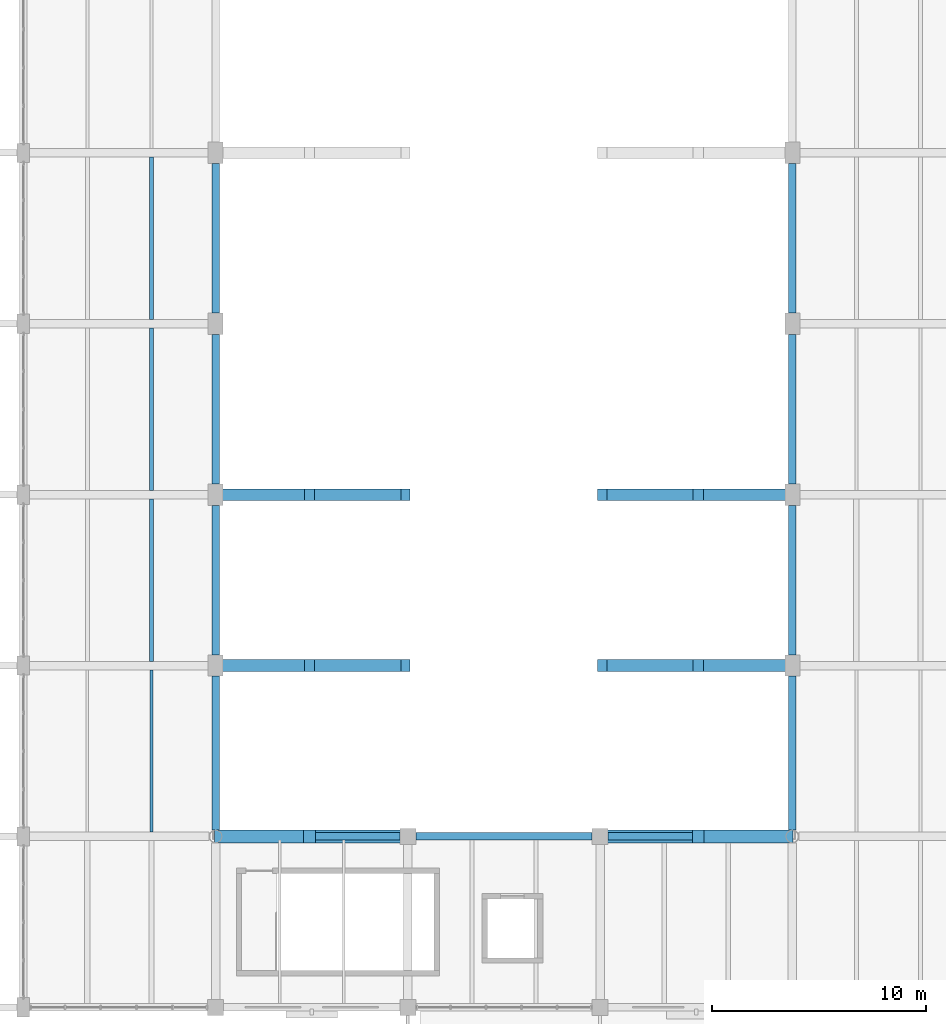
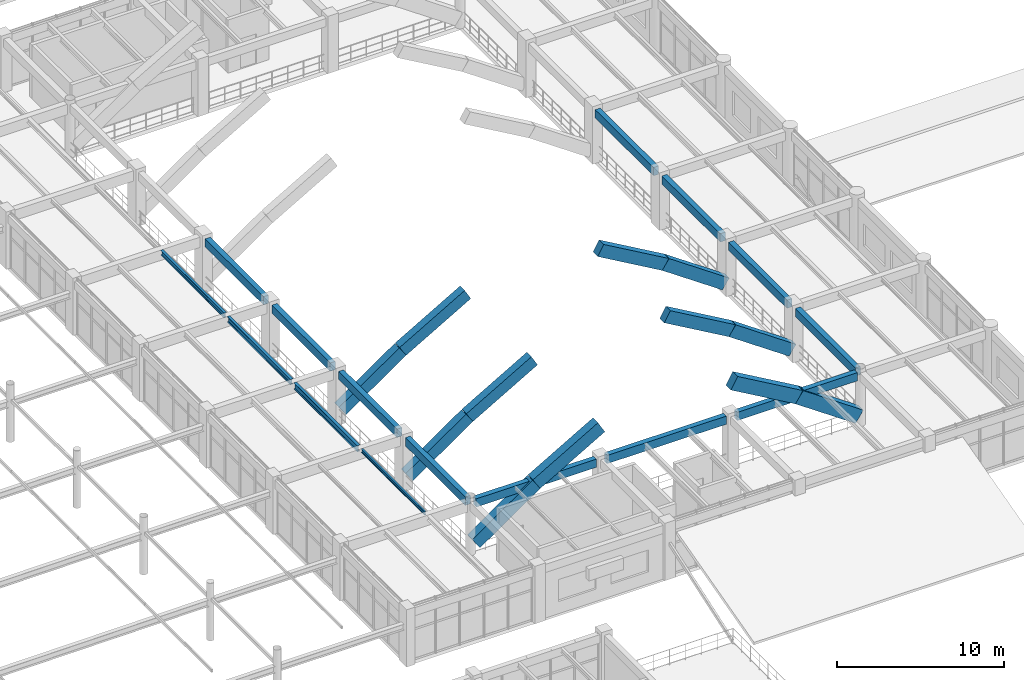
# One storey, part 39 of 148: 27 beams.
"""IFC4 building model written with IfcOpenShell, lengths in metres."""

from ifc_helpers import new_model, si_unit, derived_unit, direction, frame, origin, origin_2d, place, context, subcontext, project, spatial, rectangle, i_section, extrude, material, material_profile, profile_set, type_object, element, save


model = new_model("IFC4")

# Units and contexts
model_context = context("Model", 3, precision=1e-05, world=origin(), true_north=direction((0.0, 1.0)))
body_context = subcontext(model_context, "Body", "Model", "MODEL_VIEW")
ifc_project = project(units=[si_unit("LENGTHUNIT", "METRE"), si_unit("AREAUNIT", "SQUARE_METRE"), si_unit("VOLUMEUNIT", "CUBIC_METRE"), si_unit("PLANEANGLEUNIT", "RADIAN"), si_unit("MASSUNIT", "GRAM", prefix="KILO"), derived_unit("THERMALTRANSMITTANCEUNIT", [(si_unit("MASSUNIT", "GRAM", prefix="KILO"), 1), (si_unit("TIMEUNIT", "SECOND"), -3), (si_unit("THERMODYNAMICTEMPERATUREUNIT", "KELVIN"), -1)])], contexts=[model_context])

# Site, building, storey
site_placement = place(None, origin())
site = spatial("IfcSite", under=ifc_project, at=site_placement, CompositionType="ELEMENT")
building_placement = place(site_placement, origin())
building = spatial("IfcBuilding", under=site, at=building_placement, Name="Zhenchuan Archway Interchange", CompositionType="ELEMENT")
storey_placement = place(building_placement, frame((0.0, 0.0, 10.199951171875)))
storey = spatial("IfcBuildingStorey", under=building, at=storey_placement, Name="L02", CompositionType="ELEMENT", Elevation=10.199951171875)

# Beams
ifc_material_1 = material(Name="Concrete C50", Category="concrete")
ifc_material_profile_1 = material_profile(ifc_material_1, rectangle(XDim=0.550048828125, YDim=0.85009765625, at=origin_2d()), Name="RC 550x850")
ifc_profile_set_1 = profile_set([ifc_material_profile_1], Name="Concrete C50")
beam_type_1 = type_object("IfcBeamType", Name="BM_RC_ARCH_550x850", PredefinedType="BEAM", material=ifc_profile_set_1)
beam_1_placement = place(storey_placement, frame((36.22998046875, 40.0, 0.759521484375), z_axis=(0.821864541995, 0.0, 0.569682959735), x_axis=(0.0, 1.0, 0.0)))
element("IfcBeam", 1, at=beam_1_placement, inside=storey, type_object=beam_type_1, Name="Parabolic RC concourse arch A2 segment 1", PredefinedType="BEAM", context=body_context, shape_type="SweptSolid", body=[
    extrude(rectangle(XDim=0.550048828125, YDim=0.85009765625, at=origin_2d()), origin(), (0.0, 0.0, 1.0), 5.072021484375),
])
for number, where, z_axis, x_axis, name in (
    (2, (40.401611328125, 40.0, 3.651123046875), (0.865875481591, 0.0, 0.500259582996), (0.0, 1.0, 0.0), "Parabolic RC concourse arch A2 segment 2"),
    (3, (54.101806640625, 40.0, 6.2490234375), (0.865875481591, 0.0, -0.500259582996), (0.0, 1.0, 0.0), "Parabolic RC concourse arch A2 segment 5"),
):
    element("IfcBeam", number, at=place(storey_placement, frame(where, z_axis=z_axis, x_axis=x_axis)), inside=storey, type_object=beam_type_1, Name=name, PredefinedType="BEAM", context=body_context, shape_type="SweptSolid", body=[
        extrude(rectangle(XDim=0.550048828125, YDim=0.85009765625, at=origin_2d()), origin(), (0.0, 0.0, 1.0), 5.193115234375),
    ])
for number, where, z_axis, x_axis, name in (
    (4, (58.6015625, 40.0, 3.64892578125), (0.821864541995, 0.0, -0.569682959735), (0.0, 1.0, 0.0), "Parabolic RC concourse arch A2 segment 6"),
    (5, (36.22998046875, 48.0, 0.759521484375), (0.821864541995, 0.0, 0.569682959735), (0.0, 1.0, 0.0), "Parabolic RC concourse arch A3 segment 1"),
):
    element("IfcBeam", number, at=place(storey_placement, frame(where, z_axis=z_axis, x_axis=x_axis)), inside=storey, type_object=beam_type_1, Name=name, PredefinedType="BEAM", context=body_context, shape_type="SweptSolid", body=[
        extrude(rectangle(XDim=0.550048828125, YDim=0.85009765625, at=origin_2d()), origin(), (0.0, 0.0, 1.0), 5.072021484375),
    ])
for number, where, z_axis, x_axis, name in (
    (6, (40.401611328125, 48.0, 3.651123046875), (0.865875481591, 0.0, 0.500259582996), (0.0, 1.0, 0.0), "Parabolic RC concourse arch A3 segment 2"),
    (7, (54.101806640625, 48.0, 6.2490234375), (0.865875481591, 0.0, -0.500259582996), (0.0, 1.0, 0.0), "Parabolic RC concourse arch A3 segment 5"),
):
    element("IfcBeam", number, at=place(storey_placement, frame(where, z_axis=z_axis, x_axis=x_axis)), inside=storey, type_object=beam_type_1, Name=name, PredefinedType="BEAM", context=body_context, shape_type="SweptSolid", body=[
        extrude(rectangle(XDim=0.550048828125, YDim=0.85009765625, at=origin_2d()), origin(), (0.0, 0.0, 1.0), 5.193115234375),
    ])
beam_2_placement = place(storey_placement, frame((58.6015625, 48.0, 3.64892578125), z_axis=(0.821864541995, 0.0, -0.569682959735), x_axis=(0.0, 1.0, 0.0)))
element("IfcBeam", 8, at=beam_2_placement, inside=storey, type_object=beam_type_1, Name="Parabolic RC concourse arch A3 segment 6", PredefinedType="BEAM", context=body_context, shape_type="SweptSolid", body=[
    extrude(rectangle(XDim=0.550048828125, YDim=0.85009765625, at=origin_2d()), origin(), (0.0, 0.0, 1.0), 5.072021484375),
])
ifc_material_profile_2 = material_profile(ifc_material_1, rectangle(XDim=0.60009765625, YDim=0.949951171875, at=origin_2d()), Name="RC 600x950")
ifc_profile_set_2 = profile_set([ifc_material_profile_2], Name="Concrete C50")
beam_type_2 = type_object("IfcBeamType", Name="BM_RC_ARCH_600x950", PredefinedType="BEAM", material=ifc_profile_set_2)
beam_3_placement = place(storey_placement, frame((36.22998046875, 32.0, 0.759521484375), z_axis=(0.821864541995, 0.0, 0.569682959735), x_axis=(0.0, 1.0, 0.0)))
element("IfcBeam", 9, at=beam_3_placement, inside=storey, type_object=beam_type_2, Name="Parabolic RC concourse arch A1 segment 1", PredefinedType="BEAM", context=body_context, shape_type="SweptSolid", body=[
    extrude(rectangle(XDim=0.60009765625, YDim=0.949951171875, at=origin_2d()), origin(), (0.0, 0.0, 1.0), 5.072021484375),
])
for number, where, z_axis, x_axis, name in (
    (10, (40.401611328125, 32.0, 3.651123046875), (0.865875481591, 0.0, 0.500259582996), (0.0, 1.0, 0.0), "Parabolic RC concourse arch A1 segment 2"),
    (11, (54.101806640625, 32.0, 6.2490234375), (0.865875481591, 0.0, -0.500259582996), (0.0, 1.0, 0.0), "Parabolic RC concourse arch A1 segment 5"),
):
    element("IfcBeam", number, at=place(storey_placement, frame(where, z_axis=z_axis, x_axis=x_axis)), inside=storey, type_object=beam_type_2, Name=name, PredefinedType="BEAM", context=body_context, shape_type="SweptSolid", body=[
        extrude(rectangle(XDim=0.60009765625, YDim=0.949951171875, at=origin_2d()), origin(), (0.0, 0.0, 1.0), 5.193115234375),
    ])
beam_4_placement = place(storey_placement, frame((58.6015625, 32.0, 3.64892578125), z_axis=(0.821864541995, 0.0, -0.569682959735), x_axis=(0.0, 1.0, 0.0)))
element("IfcBeam", 12, at=beam_4_placement, inside=storey, type_object=beam_type_2, Name="Parabolic RC concourse arch A1 segment 6", PredefinedType="BEAM", context=body_context, shape_type="SweptSolid", body=[
    extrude(rectangle(XDim=0.60009765625, YDim=0.949951171875, at=origin_2d()), origin(), (0.0, 0.0, 1.0), 5.072021484375),
])
ifc_material_2 = material(Name="Steel Q355", Category="steel")
ifc_material_profile_3 = material_profile(ifc_material_2, i_section(OverallWidth=0.125, OverallDepth=0.25, WebThickness=0.006103515625, FlangeThickness=0.009033203125, FilletRadius=0.011962890625, at=origin_2d()), Name="HN 250x125")
ifc_profile_set_3 = profile_set([ifc_material_profile_3], Name="Steel Q355")
beam_type_3 = type_object("IfcBeamType", Name="JST_STL_HN250", PredefinedType="JOIST", material=ifc_profile_set_3)
beam_5_placement = place(storey_placement, frame((33.0, 32.199951171875, 3.81494140625), z_axis=(0.0, 1.0, 0.0), x_axis=(-1.0, 0.0, 0.0)))
element("IfcBeam", 13, at=beam_5_placement, inside=storey, type_object=beam_type_3, Name="Secondary joist 4-5/E-F #2 (L02)", PredefinedType="JOIST", context=body_context, shape_type="SweptSolid", body=[
    extrude(i_section(OverallWidth=0.125, OverallDepth=0.25, WebThickness=0.006103515625, FlangeThickness=0.009033203125, FilletRadius=0.011962890625, at=origin_2d()), origin(), (0.0, 0.0, 1.0), 7.60009765625),
])
ifc_material_profile_4 = material_profile(ifc_material_2, i_section(OverallWidth=0.175048828125, OverallDepth=0.35009765625, WebThickness=0.007080078125, FlangeThickness=0.010986328125, FilletRadius=0.013916015625, at=origin_2d()), Name="HN 350x175")
ifc_profile_set_4 = profile_set([ifc_material_profile_4], Name="Steel Q355")
beam_type_4 = type_object("IfcBeamType", Name="JST_STL_HN350", PredefinedType="JOIST", material=ifc_profile_set_4)
beam_6_placement = place(storey_placement, frame((33.0, 56.199951171875, 3.76513671875), z_axis=(0.0, 1.0, 0.0), x_axis=(-1.0, 0.0, 0.0)))
element("IfcBeam", 14, at=beam_6_placement, inside=storey, type_object=beam_type_4, Name="Secondary joist 4-5/H-J #2 (L02)", PredefinedType="JOIST", context=body_context, shape_type="SweptSolid", body=[
    extrude(i_section(OverallWidth=0.175048828125, OverallDepth=0.35009765625, WebThickness=0.007080078125, FlangeThickness=0.010986328125, FilletRadius=0.013916015625, at=origin_2d()), origin(), (0.0, 0.0, 1.0), 7.60009765625),
])
ifc_material_profile_5 = material_profile(ifc_material_2, i_section(OverallWidth=0.199951171875, OverallDepth=0.39990234375, WebThickness=0.008056640625, FlangeThickness=0.012939453125, FilletRadius=0.01611328125, at=origin_2d()), Name="HN 400x200")
ifc_profile_set_5 = profile_set([ifc_material_profile_5], Name="Steel Q355")
beam_type_5 = type_object("IfcBeamType", Name="JST_STL_HN400", PredefinedType="JOIST", material=ifc_profile_set_5)
beam_7_placement = place(storey_placement, frame((33.0, 48.199951171875, 3.739990234375), z_axis=(0.0, 1.0, 0.0), x_axis=(-1.0, 0.0, 0.0)))
element("IfcBeam", 15, at=beam_7_placement, inside=storey, type_object=beam_type_5, Name="Secondary joist 4-5/G-H #2 (L02)", PredefinedType="JOIST", context=body_context, shape_type="SweptSolid", body=[
    extrude(i_section(OverallWidth=0.199951171875, OverallDepth=0.39990234375, WebThickness=0.008056640625, FlangeThickness=0.012939453125, FilletRadius=0.01611328125, at=origin_2d()), origin(), (0.0, 0.0, 1.0), 7.60009765625),
])
ifc_material_profile_6 = material_profile(ifc_material_2, i_section(OverallWidth=0.199951171875, OverallDepth=0.449951171875, WebThickness=0.009033203125, FlangeThickness=0.013916015625, FilletRadius=0.01806640625, at=origin_2d()), Name="HN 450x200")
ifc_profile_set_6 = profile_set([ifc_material_profile_6], Name="Steel Q355")
beam_type_6 = type_object("IfcBeamType", Name="JST_STL_HN450", PredefinedType="JOIST", material=ifc_profile_set_6)
beam_8_placement = place(storey_placement, frame((33.0, 40.199951171875, 3.715087890625), z_axis=(0.0, 1.0, 0.0), x_axis=(-1.0, 0.0, 0.0)))
element("IfcBeam", 16, at=beam_8_placement, inside=storey, type_object=beam_type_6, Name="Secondary joist 4-5/F-G #2 (L02)", PredefinedType="JOIST", context=body_context, shape_type="SweptSolid", body=[
    extrude(i_section(OverallWidth=0.199951171875, OverallDepth=0.449951171875, WebThickness=0.009033203125, FlangeThickness=0.013916015625, FilletRadius=0.01806640625, at=origin_2d()), origin(), (0.0, 0.0, 1.0), 7.60009765625),
])
ifc_material_3 = material(Name="Concrete C40", Category="concrete")
ifc_material_profile_7 = material_profile(ifc_material_3, rectangle(XDim=0.35009765625, YDim=0.60009765625, at=origin_2d()), Name="RC 350x600")
ifc_profile_set_7 = profile_set([ifc_material_profile_7], Name="Concrete C40")
beam_type_7 = type_object("IfcBeamType", Name="SP_RC_350x600", PredefinedType="SPANDREL", material=ifc_profile_set_7)
beam_9_placement = place(storey_placement, frame((36.304931640625, 32.0, 3.64013671875), z_axis=(1.0, 0.0, 0.0), x_axis=(0.0, 1.0, 0.0)))
element("IfcBeam", 17, at=beam_9_placement, inside=storey, type_object=beam_type_7, Name="Beam E:5-6 (L02)", PredefinedType="SPANDREL", context=body_context, shape_type="SweptSolid", body=[
    extrude(rectangle(XDim=0.35009765625, YDim=0.60009765625, at=origin_2d()), origin(), (0.0, 0.0, 1.0), 8.320068359375),
])
beam_10_placement = place(storey_placement, frame((45.375, 32.0, 3.64013671875), z_axis=(1.0, 0.0, 0.0), x_axis=(0.0, 1.0, 0.0)))
element("IfcBeam", 18, at=beam_10_placement, inside=storey, type_object=beam_type_7, Name="Beam E:6-7 (L02)", PredefinedType="SPANDREL", context=body_context, shape_type="SweptSolid", body=[
    extrude(rectangle(XDim=0.35009765625, YDim=0.60009765625, at=origin_2d()), origin(), (0.0, 0.0, 1.0), 8.25),
])
beam_11_placement = place(storey_placement, frame((54.375, 32.0, 3.64013671875), z_axis=(1.0, 0.0, 0.0), x_axis=(0.0, 1.0, 0.0)))
element("IfcBeam", 19, at=beam_11_placement, inside=storey, type_object=beam_type_7, Name="Beam E:7-8 (L02)", PredefinedType="SPANDREL", context=body_context, shape_type="SweptSolid", body=[
    extrude(rectangle(XDim=0.35009765625, YDim=0.60009765625, at=origin_2d()), origin(), (0.0, 0.0, 1.0), 8.320068359375),
])
beam_12_placement = place(storey_placement, frame((36.0, 32.304931640625, 3.64013671875), z_axis=(0.0, 1.0, 0.0), x_axis=(-1.0, 0.0, 0.0)))
element("IfcBeam", 20, at=beam_12_placement, inside=storey, type_object=beam_type_7, Name="Beam 5:E-F (L02)", PredefinedType="SPANDREL", context=body_context, shape_type="SweptSolid", body=[
    extrude(rectangle(XDim=0.35009765625, YDim=0.60009765625, at=origin_2d()), origin(), (0.0, 0.0, 1.0), 7.195068359375),
])
for number, where, z_axis, x_axis, name in (
    (21, (36.0, 40.5, 3.64013671875), (0.0, 1.0, 0.0), (-1.0, 0.0, 0.0), "Beam 5:F-G (L02)"),
    (22, (36.0, 48.5, 3.64013671875), (0.0, 1.0, 0.0), (-1.0, 0.0, 0.0), "Beam 5:G-H (L02)"),
    (23, (36.0, 56.5, 3.64013671875), (0.0, 1.0, 0.0), (-1.0, 0.0, 0.0), "Beam 5:H-J (L02)"),
):
    element("IfcBeam", number, at=place(storey_placement, frame(where, z_axis=z_axis, x_axis=x_axis)), inside=storey, type_object=beam_type_7, Name=name, PredefinedType="SPANDREL", context=body_context, shape_type="SweptSolid", body=[
        extrude(rectangle(XDim=0.35009765625, YDim=0.60009765625, at=origin_2d()), origin(), (0.0, 0.0, 1.0), 7.0),
    ])
beam_13_placement = place(storey_placement, frame((63.0, 32.304931640625, 3.64013671875), z_axis=(0.0, 1.0, 0.0), x_axis=(-1.0, 0.0, 0.0)))
element("IfcBeam", 24, at=beam_13_placement, inside=storey, type_object=beam_type_7, Name="Beam 8:E-F (L02)", PredefinedType="SPANDREL", context=body_context, shape_type="SweptSolid", body=[
    extrude(rectangle(XDim=0.35009765625, YDim=0.60009765625, at=origin_2d()), origin(), (0.0, 0.0, 1.0), 7.195068359375),
])
for number, where, z_axis, x_axis, name in (
    (25, (63.0, 40.5, 3.64013671875), (0.0, 1.0, 0.0), (-1.0, 0.0, 0.0), "Beam 8:F-G (L02)"),
    (26, (63.0, 48.5, 3.64013671875), (0.0, 1.0, 0.0), (-1.0, 0.0, 0.0), "Beam 8:G-H (L02)"),
    (27, (63.0, 56.5, 3.64013671875), (0.0, 1.0, 0.0), (-1.0, 0.0, 0.0), "Beam 8:H-J (L02)"),
):
    element("IfcBeam", number, at=place(storey_placement, frame(where, z_axis=z_axis, x_axis=x_axis)), inside=storey, type_object=beam_type_7, Name=name, PredefinedType="SPANDREL", context=body_context, shape_type="SweptSolid", body=[
        extrude(rectangle(XDim=0.35009765625, YDim=0.60009765625, at=origin_2d()), origin(), (0.0, 0.0, 1.0), 7.0),
    ])

save(model, "model.ifc")
